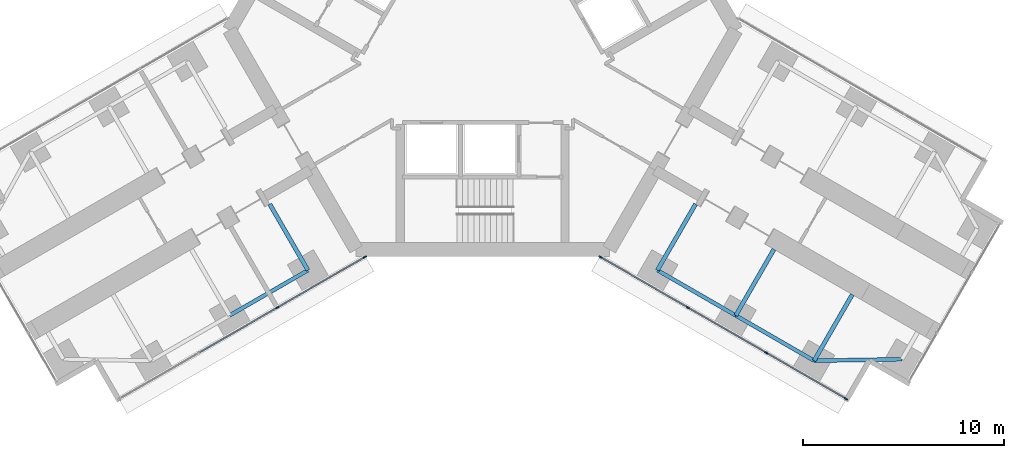
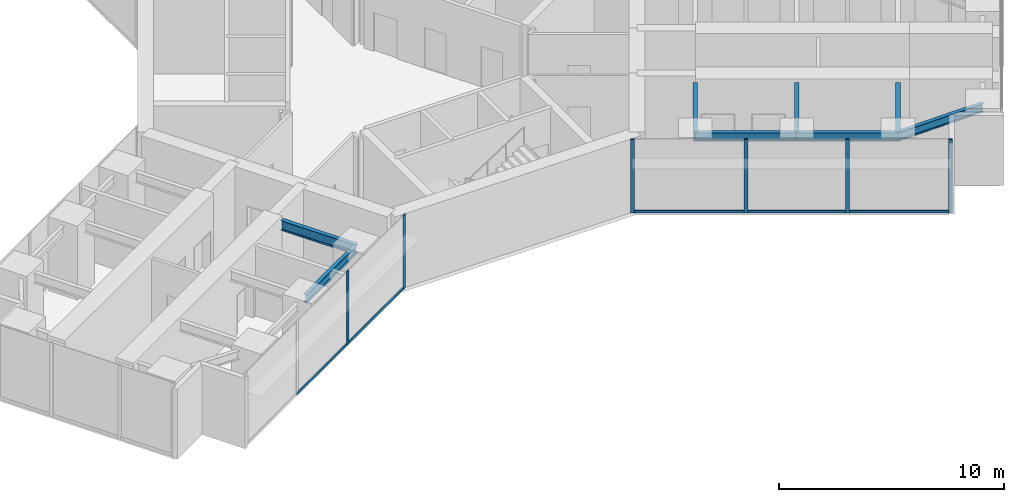
# One storey, part 9 of 23: 11 members, 8 beams, 2 elements without a shape of their own.
"""IFC4 building model written with IfcOpenShell, lengths in metres."""

from ifc_helpers import new_model, si_unit, direction, frame, origin, origin_2d, place, context, subcontext, project, spatial, rectangle, i_section, extrude, material, material_profile, profile_set, type_object, element, aggregate, save


model = new_model("IFC4")

# Units and contexts
model_context = context("Model", 3, precision=1e-05, world=origin(), true_north=direction((0.0, 1.0)))
body_context = subcontext(model_context, "Body", "Model", "MODEL_VIEW")
ifc_project = project(units=[si_unit("LENGTHUNIT", "METRE"), si_unit("AREAUNIT", "SQUARE_METRE"), si_unit("VOLUMEUNIT", "CUBIC_METRE"), si_unit("PLANEANGLEUNIT", "RADIAN"), si_unit("MASSUNIT", "GRAM", prefix="KILO")], contexts=[model_context])

# Site, building, storey
site_placement = place(None, origin())
site = spatial("IfcSite", under=ifc_project, at=site_placement, CompositionType="ELEMENT")
building_placement = place(site_placement, origin())
building = spatial("IfcBuilding", under=site, at=building_placement, Name="Upepo Twin Towers", CompositionType="ELEMENT")
storey_placement = place(building_placement, frame((0.0, 0.0, 24.5)))
storey = spatial("IfcBuildingStorey", under=building, at=storey_placement, Name="L05", CompositionType="ELEMENT", Elevation=24.5)

# Beams
ifc_material_1 = material(Name="Steel S355", Category="steel")
ifc_material_profile_1 = material_profile(ifc_material_1, i_section(OverallWidth=0.1904296875, OverallDepth=0.45703125, WebThickness=0.009033203125, FlangeThickness=0.014404296875, FilletRadius=0.01025390625, at=origin_2d()), Name="UB 457x191x74")
ifc_profile_set_1 = profile_set([ifc_material_profile_1], Name="Steel S355")
beam_type_1 = type_object("IfcBeamType", Name="Beam UB 457x191x74", PredefinedType="BEAM", material=ifc_profile_set_1)
for number, where, z_axis, x_axis, name in (
    (1, (49.80859375, -29.946044921875, 3.571533203125), (-0.866017533419, -0.500013631625, 0.0), (0.500013631625, -0.866017533419, 0.0), "T2 edge beam BL 13.5-18.0"),
    (2, (67.19140625, -29.946044921875, 3.571533203125), (0.866017533419, -0.500013631625, 0.0), (0.500013631625, 0.866017533419, 0.0), "T2 edge beam CR 13.5-18.0"),
):
    element("IfcBeam", number, at=place(storey_placement, frame(where, z_axis=z_axis, x_axis=x_axis)), inside=storey, type_object=beam_type_1, Name=name, PredefinedType="BEAM", context=body_context, shape_type="SweptSolid", body=[
        extrude(i_section(OverallWidth=0.1904296875, OverallDepth=0.45703125, WebThickness=0.009033203125, FlangeThickness=0.014404296875, FilletRadius=0.01025390625, at=origin_2d()), origin(), (0.0, 0.0, 1.0), 4.499755859375),
    ])
beam_1_placement = place(storey_placement, frame((71.08837890625, -32.196044921875, 3.571533203125), z_axis=(0.866031096941, -0.499990139034, 0.0), x_axis=(0.499990139034, 0.866031096941, 0.0)))
element("IfcBeam", 3, at=beam_1_placement, inside=storey, type_object=beam_type_1, Name="T2 edge beam CR 18.0-22.5", PredefinedType="BEAM", context=body_context, shape_type="SweptSolid", body=[
    extrude(i_section(OverallWidth=0.1904296875, OverallDepth=0.45703125, WebThickness=0.009033203125, FlangeThickness=0.014404296875, FilletRadius=0.01025390625, at=origin_2d()), origin(), (0.0, 0.0, 1.0), 4.5),
])
beam_2_placement = place(storey_placement, frame((74.985595703125, -34.446044921875, 3.571533203125), z_axis=(0.999858804832, 0.016803880528, 0.0), x_axis=(-0.016803880528, 0.999858804832, 0.0)))
element("IfcBeam", 4, at=beam_2_placement, inside=storey, type_object=beam_type_1, Name="T2 nose edge beam CR", PredefinedType="BEAM", context=body_context, shape_type="SweptSolid", body=[
    extrude(i_section(OverallWidth=0.1904296875, OverallDepth=0.45703125, WebThickness=0.009033203125, FlangeThickness=0.014404296875, FilletRadius=0.01025390625, at=origin_2d()), origin(), (0.0, 0.0, 1.0), 4.373291015625),
])
ifc_material_2 = material(Name="Steel S355", Category="steel")
ifc_material_profile_2 = material_profile(ifc_material_2, i_section(OverallWidth=0.209228515625, OverallDepth=0.533203125, WebThickness=0.010009765625, FlangeThickness=0.015625, FilletRadius=0.0126953125, at=origin_2d()), Name="UB 533x210x92")
ifc_profile_set_2 = profile_set([ifc_material_profile_2], Name="Steel S355")
beam_type_2 = type_object("IfcBeamType", Name="Beam UB 533x210x92", PredefinedType="BEAM", material=ifc_profile_set_2)
for number, where, z_axis, x_axis, name in (
    (5, (49.80859375, -29.946044921875, 3.533447265625), (-0.499994975061, 0.866028304915, 0.0), (-0.866028304915, -0.499994975061, 0.0), "T2 girder BL at 13.5"),
    (6, (67.19140625, -29.946044921875, 3.533447265625), (0.499994975061, 0.866028304915, 0.0), (-0.866028304915, 0.499994975061, 0.0), "T2 girder CR at 13.5"),
):
    element("IfcBeam", number, at=place(storey_placement, frame(where, z_axis=z_axis, x_axis=x_axis)), inside=storey, type_object=beam_type_2, Name=name, PredefinedType="BEAM", context=body_context, shape_type="SweptSolid", body=[
        extrude(i_section(OverallWidth=0.209228515625, OverallDepth=0.533203125, WebThickness=0.010009765625, FlangeThickness=0.015625, FilletRadius=0.0126953125, at=origin_2d()), origin(), (0.0, 0.0, 1.0), 3.7998046875),
    ])
beam_3_placement = place(storey_placement, frame((71.08837890625, -32.196044921875, 3.533447265625), z_axis=(0.500043160704, 0.866000483506, 0.0), x_axis=(-0.866000483506, 0.500043160704, 0.0)))
element("IfcBeam", 7, at=beam_3_placement, inside=storey, type_object=beam_type_2, Name="T2 girder CR at 18.0", PredefinedType="BEAM", context=body_context, shape_type="SweptSolid", body=[
    extrude(i_section(OverallWidth=0.209228515625, OverallDepth=0.533203125, WebThickness=0.010009765625, FlangeThickness=0.015625, FilletRadius=0.0126953125, at=origin_2d()), origin(), (0.0, 0.0, 1.0), 3.800048828125),
])
beam_4_placement = place(storey_placement, frame((74.985595703125, -34.446044921875, 3.533447265625), z_axis=(0.499994975061, 0.866028304915, 0.0), x_axis=(-0.866028304915, 0.499994975061, 0.0)))
element("IfcBeam", 8, at=beam_4_placement, inside=storey, type_object=beam_type_2, Name="T2 girder CR at 22.5", PredefinedType="BEAM", context=body_context, shape_type="SweptSolid", body=[
    extrude(i_section(OverallWidth=0.209228515625, OverallDepth=0.533203125, WebThickness=0.010009765625, FlangeThickness=0.015625, FilletRadius=0.0126953125, at=origin_2d()), origin(), (0.0, 0.0, 1.0), 3.7998046875),
])

# Curtain wall, members
ifc_material_3 = material(Name="Aluminium and fritted glass", Category="aluminium")
curtain_wall_type = type_object("IfcCurtainWallType", Name="Tower curtain wall TW1, fritted glass", PredefinedType="NOTDEFINED", material=ifc_material_3)
curtain_wall_1_placement = place(storey_placement, origin())
curtain_wall_1 = element("IfcCurtainWall", 9, at=curtain_wall_1_placement, inside=storey, type_object=curtain_wall_type, Name="T2 L05 wing B flank L curtain wall", PredefinedType="NOTDEFINED")
ifc_material_4 = material(Name="Aluminium mullion", Category="aluminium")
ifc_material_profile_3 = material_profile(ifc_material_4, rectangle(XDim=0.06494140625, YDim=0.179931640625, at=origin_2d()), Name="MULLION 65x180")
ifc_profile_set_3 = profile_set([ifc_material_profile_3], Name="Aluminium mullion")
member_type_1 = type_object("IfcMemberType", Name="Mullion 65x180 TW1", PredefinedType="MULLION", material=ifc_profile_set_3)
member_1_placement = place(storey_placement, frame((52.6416015625, -29.2919921875, 0.0), z_axis=(0.0, 0.0, 1.0), x_axis=(0.500000024426, -0.866025389682, 0.0)))
member_1 = element("IfcMember", 10, at=member_1_placement, type_object=member_type_1, Name="T2 L05 wing B flank L curtain wall mullion 1", PredefinedType="MULLION", context=body_context, shape_type="SweptSolid", body=[
    extrude(rectangle(XDim=0.06494140625, YDim=0.179931640625, at=origin_2d()), origin(), (0.0, 0.0, 1.0), 4.0),
])
member_2_placement = place(storey_placement, frame((48.28515625, -31.807373046875, 0.0), z_axis=(0.0, 0.0, 1.0), x_axis=(0.500000024426, -0.866025389682, 0.0)))
member_2 = element("IfcMember", 11, at=member_2_placement, type_object=member_type_1, Name="T2 L05 wing B flank L curtain wall mullion 2", PredefinedType="MULLION", context=body_context, shape_type="SweptSolid", body=[
    extrude(rectangle(XDim=0.06494140625, YDim=0.179931640625, at=origin_2d()), origin(), (0.0, 0.0, 1.0), 4.0),
])

curtain_wall_2_placement = place(storey_placement, origin())
curtain_wall_2 = element("IfcCurtainWall", 12, at=curtain_wall_2_placement, inside=storey, type_object=curtain_wall_type, Name="T2 L05 wing C flank R curtain wall", PredefinedType="NOTDEFINED")
member_3_placement = place(storey_placement, frame((76.567626953125, -36.341064453125, 0.0), z_axis=(0.0, 0.0, 1.0), x_axis=(-0.500000024426, -0.866025389682, 0.0)))
member_3 = element("IfcMember", 13, at=member_3_placement, type_object=member_type_1, Name="T2 L05 wing C flank R curtain wall mullion 1", PredefinedType="MULLION", context=body_context, shape_type="SweptSolid", body=[
    extrude(rectangle(XDim=0.06494140625, YDim=0.179931640625, at=origin_2d()), origin(), (0.0, 0.0, 1.0), 4.0),
])
member_4_placement = place(storey_placement, frame((72.612060546875, -34.057373046875, 0.0), z_axis=(0.0, 0.0, 1.0), x_axis=(-0.500000024426, -0.866025389682, 0.0)))
member_4 = element("IfcMember", 14, at=member_4_placement, type_object=member_type_1, Name="T2 L05 wing C flank R curtain wall mullion 2", PredefinedType="MULLION", context=body_context, shape_type="SweptSolid", body=[
    extrude(rectangle(XDim=0.06494140625, YDim=0.179931640625, at=origin_2d()), origin(), (0.0, 0.0, 1.0), 4.0),
])
member_5_placement = place(storey_placement, frame((68.71484375, -31.807373046875, 0.0), z_axis=(0.0, 0.0, 1.0), x_axis=(-0.500000024426, -0.866025389682, 0.0)))
member_5 = element("IfcMember", 15, at=member_5_placement, type_object=member_type_1, Name="T2 L05 wing C flank R curtain wall mullion 3", PredefinedType="MULLION", context=body_context, shape_type="SweptSolid", body=[
    extrude(rectangle(XDim=0.06494140625, YDim=0.179931640625, at=origin_2d()), origin(), (0.0, 0.0, 1.0), 4.0),
])
member_6_placement = place(storey_placement, frame((64.3583984375, -29.2919921875, 0.0), z_axis=(0.0, 0.0, 1.0), x_axis=(-0.500000024426, -0.866025389682, 0.0)))
member_6 = element("IfcMember", 16, at=member_6_placement, type_object=member_type_1, Name="T2 L05 wing C flank R curtain wall mullion 4", PredefinedType="MULLION", context=body_context, shape_type="SweptSolid", body=[
    extrude(rectangle(XDim=0.06494140625, YDim=0.179931640625, at=origin_2d()), origin(), (0.0, 0.0, 1.0), 4.0),
])

# Member
ifc_material_5 = material(Name="Aluminium transom", Category="aluminium")
ifc_material_profile_4 = material_profile(ifc_material_5, rectangle(XDim=0.06494140625, YDim=0.14990234375, at=origin_2d()), Name="TRANSOM 65x150")
ifc_profile_set_4 = profile_set([ifc_material_profile_4], Name="Aluminium transom")
member_type_2 = type_object("IfcMemberType", Name="Transom 65x150 TW1", PredefinedType="USERDEFINED", material=ifc_profile_set_4)
member_7_placement = place(storey_placement, frame((52.61328125, -29.308349609375, 0.074951171875), z_axis=(-0.866022642139, -0.50000478328, 0.0), x_axis=(0.50000478328, -0.866022642139, 0.0)))
member_7 = element("IfcMember", 17, at=member_7_placement, type_object=member_type_2, Name="T2 L05 wing B flank L curtain wall transom 1", ObjectType="TRANSOM", PredefinedType="USERDEFINED", context=body_context, shape_type="SweptSolid", body=[
    extrude(rectangle(XDim=0.06494140625, YDim=0.14990234375, at=origin_2d()), origin(), (0.0, 0.0, 1.0), 4.96533203125),
])

member_8_placement = place(storey_placement, frame((48.2568359375, -31.823486328125, 0.074951171875), z_axis=(-0.866022410713, -0.500005184116, 0.0), x_axis=(0.500005184116, -0.866022410713, 0.0)))
member_8 = element("IfcMember", 18, at=member_8_placement, type_object=member_type_2, Name="T2 L05 wing B flank L curtain wall transom 2", ObjectType="TRANSOM", PredefinedType="USERDEFINED", context=body_context, shape_type="SweptSolid", body=[
    extrude(rectangle(XDim=0.06494140625, YDim=0.14990234375, at=origin_2d()), origin(), (0.0, 0.0, 1.0), 4.43505859375),
])

aggregate(curtain_wall_1, [member_1, member_2, member_7, member_8])

member_9_placement = place(storey_placement, frame((76.53955078125, -36.32470703125, 0.074951171875), z_axis=(-0.866035699072, 0.499982167615, 0.0), x_axis=(-0.499982167615, -0.866035699072, 0.0)))
member_9 = element("IfcMember", 19, at=member_9_placement, type_object=member_type_2, Name="T2 L05 wing C flank R curtain wall transom 1", ObjectType="TRANSOM", PredefinedType="USERDEFINED", context=body_context, shape_type="SweptSolid", body=[
    extrude(rectangle(XDim=0.06494140625, YDim=0.14990234375, at=origin_2d()), origin(), (0.0, 0.0, 1.0), 4.502685546875),
])

member_10_placement = place(storey_placement, frame((72.583984375, -34.041015625, 0.074951171875), z_axis=(-0.866022410713, 0.500005184116, 0.0), x_axis=(-0.500005184116, -0.866022410713, 0.0)))
member_10 = element("IfcMember", 20, at=member_10_placement, type_object=member_type_2, Name="T2 L05 wing C flank R curtain wall transom 2", ObjectType="TRANSOM", PredefinedType="USERDEFINED", context=body_context, shape_type="SweptSolid", body=[
    extrude(rectangle(XDim=0.06494140625, YDim=0.14990234375, at=origin_2d()), origin(), (0.0, 0.0, 1.0), 4.43505859375),
])

member_11_placement = place(storey_placement, frame((68.686767578125, -31.791015625, 0.074951171875), z_axis=(-0.866022642139, 0.50000478328, 0.0), x_axis=(-0.50000478328, -0.866022642139, 0.0)))
member_11 = element("IfcMember", 21, at=member_11_placement, type_object=member_type_2, Name="T2 L05 wing C flank R curtain wall transom 3", ObjectType="TRANSOM", PredefinedType="USERDEFINED", context=body_context, shape_type="SweptSolid", body=[
    extrude(rectangle(XDim=0.06494140625, YDim=0.14990234375, at=origin_2d()), origin(), (0.0, 0.0, 1.0), 4.96533203125),
])

aggregate(curtain_wall_2, [member_3, member_4, member_5, member_6, member_9, member_10, member_11])

save(model, "model.ifc")
